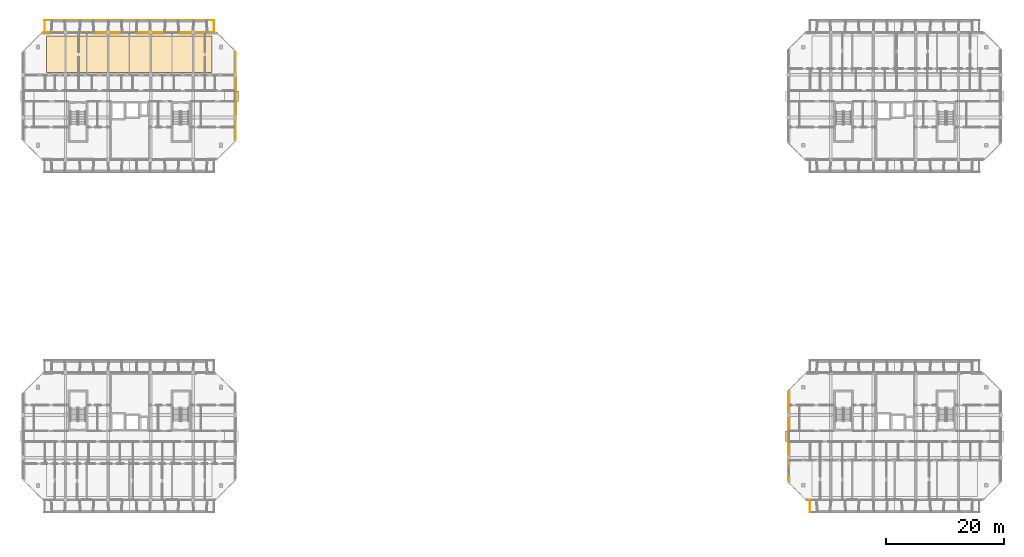
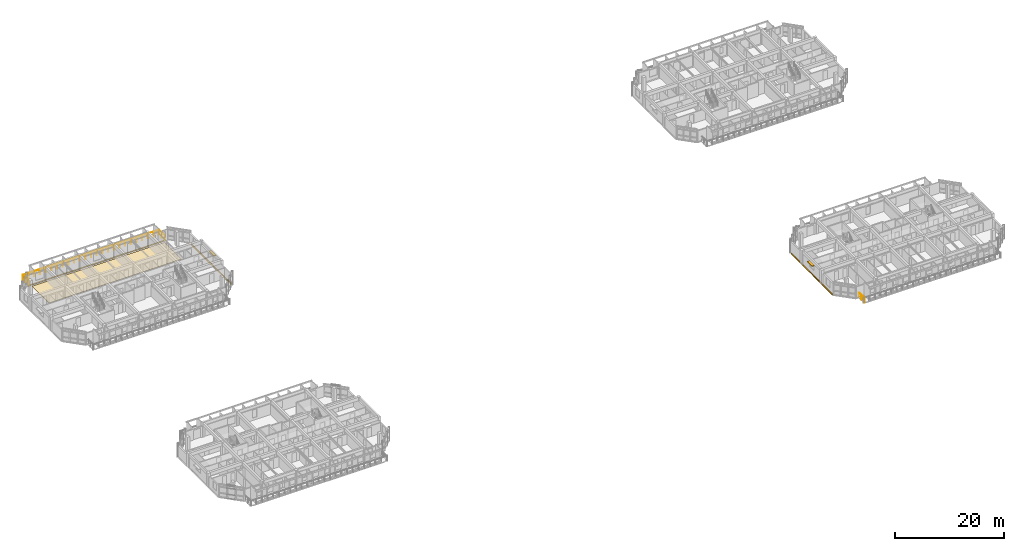
# One storey, part 38 of 43: 4 coverings, 4 railings, 2 shading devices.
"""IFC4 building model written with IfcOpenShell, lengths in metres."""

from ifc_helpers import new_model, si_unit, direction, frame, origin, origin_2d, place, context, subcontext, project, spatial, polyline, rectangle, circle, outline, extrude, material, layer, layer_set, type_object, element, save


model = new_model("IFC4")

# Units and contexts
model_context = context("Model", 3, precision=1e-05, world=origin(), true_north=direction((0.0, 1.0)))
body_context = subcontext(model_context, "Body", "Model", "MODEL_VIEW")
ifc_project = project(units=[si_unit("LENGTHUNIT", "METRE"), si_unit("AREAUNIT", "SQUARE_METRE"), si_unit("VOLUMEUNIT", "CUBIC_METRE"), si_unit("PLANEANGLEUNIT", "RADIAN"), si_unit("MASSUNIT", "GRAM", prefix="KILO")], contexts=[model_context])

# Site, building, storey
site_placement = place(None, origin())
site = spatial("IfcSite", under=ifc_project, at=site_placement, CompositionType="ELEMENT")
building_placement = place(site_placement, origin())
building = spatial("IfcBuilding", under=site, at=building_placement, Name="Ochrevale Crest", CompositionType="ELEMENT")
storey_placement = place(building_placement, frame((0.0, 0.0, 15.0)))
storey = spatial("IfcBuildingStorey", under=building, at=storey_placement, Name="L04", CompositionType="ELEMENT", Elevation=15.0)

# Coverings
ifc_material_1 = material(Name="Glazed terracotta rainscreen tile", Category="masonry")
ifc_layer_1 = layer(ifc_material_1, 0.048095703125)
ifc_layer_set_1 = layer_set([ifc_layer_1], Name="Glazed terracotta rainscreen tile")
covering_type_1 = type_object("IfcCoveringType", Name="COV-CLAD-TER", PredefinedType="CLADDING", material=ifc_layer_set_1)
covering_1_placement = place(storey_placement, frame((36.014404296875, 82.800048828125, -0.26025390625), z_axis=(0.0, 0.0, 1.0), x_axis=(0.0, 1.0, 0.0)))
element("IfcCovering", 1, at=covering_1_placement, inside=storey, type_object=covering_type_1, Name="Block B L04 terracotta slab-edge spandrel cladding", PredefinedType="CLADDING", context=body_context, shape_type="SweptSolid", body=[
    extrude(rectangle(XDim=14.60009765625, YDim=0.06005859375, at=origin_2d()), origin(), (0.0, 0.0, 1.0), 0.280029296875),
])
covering_2_placement = place(storey_placement, frame((18.0, 93.612548828125, -0.26025390625), z_axis=(0.0, 0.0, 1.0), x_axis=(-1.0, 0.0, 0.0)))
element("IfcCovering", 2, at=covering_2_placement, inside=storey, type_object=covering_type_1, Name="Block B L04 terracotta slab-edge spandrel cladding", PredefinedType="CLADDING", context=body_context, shape_type="SweptSolid", body=[
    extrude(rectangle(XDim=29.0, YDim=0.06005859375, at=origin_2d()), origin(), (0.0, 0.0, 1.0), 0.280029296875),
])
covering_3_placement = place(storey_placement, frame((129.58544921875, 25.199951171875, -0.26025390625), z_axis=(0.0, 0.0, 1.0), x_axis=(0.0, -1.0, 0.0)))
element("IfcCovering", 3, at=covering_3_placement, inside=storey, type_object=covering_type_1, Name="Block C L04 terracotta slab-edge spandrel cladding", PredefinedType="CLADDING", context=body_context, shape_type="SweptSolid", body=[
    extrude(rectangle(XDim=15.0, YDim=0.06005859375, at=origin_2d()), origin(), (0.0, 0.0, 1.0), 0.280029296875),
])
ifc_material_2 = material(Name="Engineered spotted-gum hardwood flooring", Category="wood")
ifc_layer_2 = layer(ifc_material_2, 0.02001953125)
ifc_layer_set_2 = layer_set([ifc_layer_2], Name="Engineered spotted-gum hardwood flooring")
covering_type_2 = type_object("IfcCoveringType", Name="COV-FLR-TIM", PredefinedType="FLOORING", material=ifc_layer_set_2)
covering_4_placement = place(storey_placement, origin())
element("IfcCovering", 4, at=covering_4_placement, inside=storey, type_object=covering_type_2, Name="Block B L04 spotted-gum apartment flooring", PredefinedType="FLOORING", context=body_context, shape_type="SweptSolid", body=[
    extrude(outline(polyline([(4.0, 86.800048828125), (32.0, 86.800048828125), (32.0, 93.0), (4.0, 93.0), (4.0, 86.800048828125)])), origin(), (0.0, 0.0, 1.0), 0.02001953125),
])

# Railings
ifc_material_3 = material(Name="Galvanised steel", Category="steel")
railing_type = type_object("IfcRailingType", Name="RL-BAL-1100", PredefinedType="BALUSTRADE", material=ifc_material_3)
railing_1_placement = place(storey_placement, frame((3.60009765625, 95.639892578125, 0.0)))
element("IfcRailing", 5, at=railing_1_placement, inside=storey, type_object=railing_type, Name="Block B L04 N balcony front balustrade", PredefinedType="BALUSTRADE", context=body_context, shape_type="SweptSolid", body=[
    extrude(circle(Radius=0.02392578125, at=origin_2d()), frame((0.0, 0.0, 1.0859375), z_axis=(1.0, 0.0, 0.0), x_axis=(0.0, 1.0, 0.0)), (0.0, 0.0, 1.0), 28.7998046875),
    extrude(circle(Radius=0.02099609375, at=origin_2d()), origin(), (0.0, 0.0, 1.0), 1.06201171875),
    extrude(circle(Radius=0.02099609375, at=origin_2d()), frame((1.199951171875, 0.0, 0.0)), (0.0, 0.0, 1.0), 1.06201171875),
    extrude(circle(Radius=0.02099609375, at=origin_2d()), frame((2.39990234375, 0.0, 0.0)), (0.0, 0.0, 1.0), 1.06201171875),
    extrude(circle(Radius=0.02099609375, at=origin_2d()), frame((3.60009765625, 0.0, 0.0)), (0.0, 0.0, 1.0), 1.06201171875),
    extrude(circle(Radius=0.02099609375, at=origin_2d()), frame((4.800048828125, 0.0, 0.0)), (0.0, 0.0, 1.0), 1.06201171875),
    extrude(circle(Radius=0.02099609375, at=origin_2d()), frame((6.0, 0.0, 0.0)), (0.0, 0.0, 1.0), 1.06201171875),
    extrude(circle(Radius=0.02099609375, at=origin_2d()), frame((7.199951171875, 0.0, 0.0)), (0.0, 0.0, 1.0), 1.06201171875),
    extrude(circle(Radius=0.02099609375, at=origin_2d()), frame((8.39990234375, 0.0, 0.0)), (0.0, 0.0, 1.0), 1.06201171875),
    extrude(circle(Radius=0.02099609375, at=origin_2d()), frame((9.599853515625, 0.0, 0.0)), (0.0, 0.0, 1.0), 1.06201171875),
    extrude(circle(Radius=0.02099609375, at=origin_2d()), frame((10.7998046875, 0.0, 0.0)), (0.0, 0.0, 1.0), 1.06201171875),
    extrude(circle(Radius=0.02099609375, at=origin_2d()), frame((12.0, 0.0, 0.0)), (0.0, 0.0, 1.0), 1.06201171875),
    extrude(circle(Radius=0.02099609375, at=origin_2d()), frame((13.199951171875, 0.0, 0.0)), (0.0, 0.0, 1.0), 1.06201171875),
    extrude(circle(Radius=0.02099609375, at=origin_2d()), frame((14.39990234375, 0.0, 0.0)), (0.0, 0.0, 1.0), 1.06201171875),
    extrude(circle(Radius=0.02099609375, at=origin_2d()), frame((15.599853515625, 0.0, 0.0)), (0.0, 0.0, 1.0), 1.06201171875),
    extrude(circle(Radius=0.02099609375, at=origin_2d()), frame((16.7998046875, 0.0, 0.0)), (0.0, 0.0, 1.0), 1.06201171875),
    extrude(circle(Radius=0.02099609375, at=origin_2d()), frame((18.0, 0.0, 0.0)), (0.0, 0.0, 1.0), 1.06201171875),
    extrude(circle(Radius=0.02099609375, at=origin_2d()), frame((19.199951171875, 0.0, 0.0)), (0.0, 0.0, 1.0), 1.06201171875),
    extrude(circle(Radius=0.02099609375, at=origin_2d()), frame((20.39990234375, 0.0, 0.0)), (0.0, 0.0, 1.0), 1.06201171875),
    extrude(circle(Radius=0.02099609375, at=origin_2d()), frame((21.599853515625, 0.0, 0.0)), (0.0, 0.0, 1.0), 1.06201171875),
    extrude(circle(Radius=0.02099609375, at=origin_2d()), frame((22.7998046875, 0.0, 0.0)), (0.0, 0.0, 1.0), 1.06201171875),
    extrude(circle(Radius=0.02099609375, at=origin_2d()), frame((23.999755859375, 0.0, 0.0)), (0.0, 0.0, 1.0), 1.06201171875),
    extrude(circle(Radius=0.02099609375, at=origin_2d()), frame((25.19970703125, 0.0, 0.0)), (0.0, 0.0, 1.0), 1.06201171875),
    extrude(circle(Radius=0.02099609375, at=origin_2d()), frame((26.39990234375, 0.0, 0.0)), (0.0, 0.0, 1.0), 1.06201171875),
    extrude(circle(Radius=0.02099609375, at=origin_2d()), frame((27.599853515625, 0.0, 0.0)), (0.0, 0.0, 1.0), 1.06201171875),
    extrude(circle(Radius=0.02099609375, at=origin_2d()), frame((28.7998046875, 0.0, 0.0)), (0.0, 0.0, 1.0), 1.06201171875),
])
for number, where, name in (
    (6, (3.659912109375, 93.60009765625, 0.0), "Block B L04 N-W balcony side guard"),
    (7, (32.340087890625, 93.60009765625, 0.0), "Block B L04 N-E balcony side guard"),
):
    element("IfcRailing", number, at=place(storey_placement, frame(where)), inside=storey, type_object=railing_type, Name=name, PredefinedType="BALUSTRADE", context=body_context, shape_type="SweptSolid", body=[
        extrude(circle(Radius=0.02392578125, at=origin_2d()), frame((0.0, 0.0, 1.0859375), z_axis=(0.0, 1.0, 0.0), x_axis=(-1.0, 0.0, 0.0)), (0.0, 0.0, 1.0), 2.039794921875),
        extrude(circle(Radius=0.02099609375, at=origin_2d()), origin(), (0.0, 0.0, 1.0), 1.06201171875),
        extrude(circle(Radius=0.02099609375, at=origin_2d()), frame((0.0, 1.02001953125, 0.0)), (0.0, 0.0, 1.0), 1.06201171875),
        extrude(circle(Radius=0.02099609375, at=origin_2d()), frame((0.0, 2.039794921875, 0.0)), (0.0, 0.0, 1.0), 1.06201171875),
    ])
railing_2_placement = place(storey_placement, frame((133.260009765625, 14.39990234375, 0.0)))
element("IfcRailing", 8, at=railing_2_placement, inside=storey, type_object=railing_type, Name="Block C L04 S-W balcony side guard", PredefinedType="BALUSTRADE", context=body_context, shape_type="SweptSolid", body=[
    extrude(circle(Radius=0.02392578125, at=origin_2d()), frame((0.0, 0.0, 1.0859375), z_axis=(0.0, -1.0, 0.0), x_axis=(1.0, 0.0, 0.0)), (0.0, 0.0, 1.0), 2.039794921875),
    extrude(circle(Radius=0.02099609375, at=origin_2d()), origin(), (0.0, 0.0, 1.0), 1.06201171875),
    extrude(circle(Radius=0.02099609375, at=origin_2d()), frame((0.0, -1.02001953125, 0.0)), (0.0, 0.0, 1.0), 1.06201171875),
    extrude(circle(Radius=0.02099609375, at=origin_2d()), frame((0.0, -2.039794921875, 0.0)), (0.0, 0.0, 1.0), 1.06201171875),
])

# Shading devices
ifc_material_4 = material(Name="Anodised aluminium 6063-T5", Category="aluminium")
shading_device_type = type_object("IfcShadingDeviceType", Name="SHD-SUNSHADE-OC", PredefinedType="USERDEFINED", material=ifc_material_4)
for number, where, z_axis, x_axis, name in (
    (9, (36.239990234375, 82.800048828125, 2.2099609375), (0.0, 0.0, 1.0), (1.0, 0.0, 0.0), "Block B L04 gable window sunshade E"),
    (10, (129.360107421875, 25.199951171875, 2.2099609375), (0.0, 0.0, 1.0), (1.0, 0.0, 0.0), "Block C L04 gable window sunshade W"),
):
    element("IfcShadingDevice", number, at=place(storey_placement, frame(where, z_axis=z_axis, x_axis=x_axis)), inside=storey, type_object=shading_device_type, Name=name, ObjectType="HORIZONTAL SUNSHADE", PredefinedType="USERDEFINED", context=body_context, shape_type="SweptSolid", body=[
        extrude(rectangle(XDim=0.550048828125, YDim=1.800048828125, at=origin_2d()), origin(), (0.0, 0.0, 1.0), 0.139892578125),
    ])

save(model, "model.ifc")
